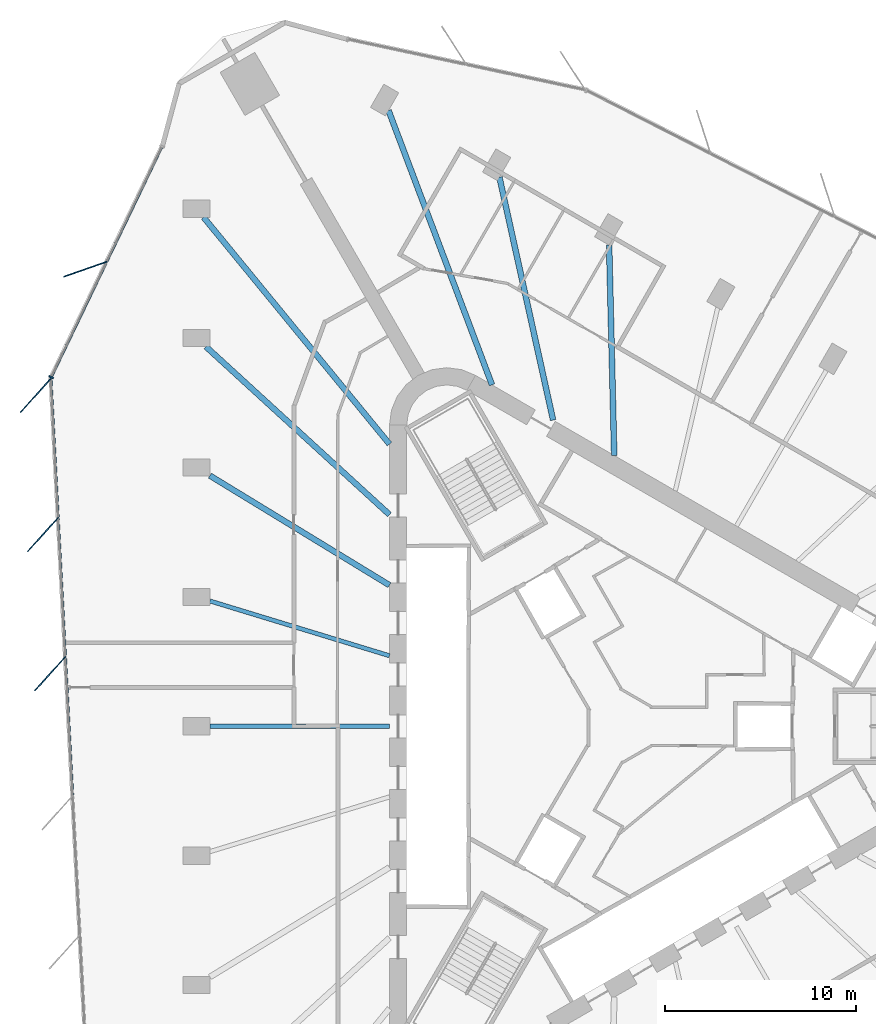
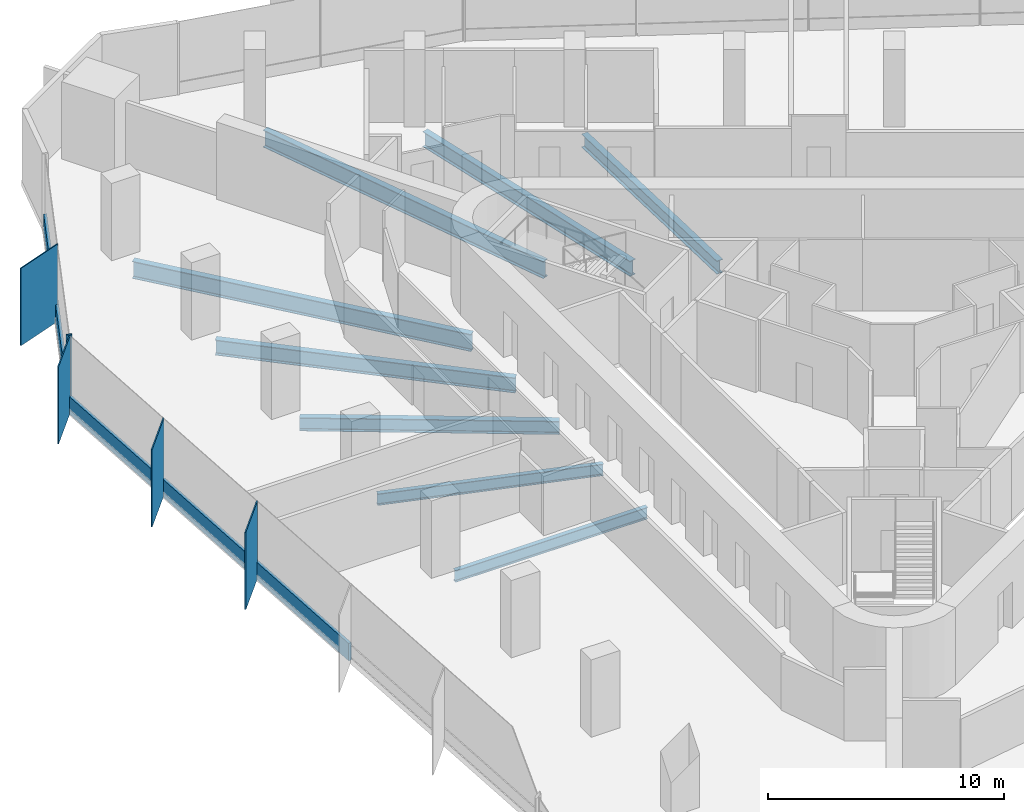
# One storey, part 4 of 14: 10 members, 8 beams, 2 elements without a shape of their own.
"""IFC4 building model written with IfcOpenShell, lengths in metres."""

from ifc_helpers import new_model, si_unit, direction, frame, origin, origin_2d, place, context, subcontext, project, spatial, rectangle, i_section, extrude, material, material_profile, profile_set, type_object, element, aggregate, save


model = new_model("IFC4")

# Units and contexts
model_context = context("Model", 3, precision=1e-05, world=origin(), true_north=direction((0.0, 1.0)))
body_context = subcontext(model_context, "Body", "Model", "MODEL_VIEW")
ifc_project = project(units=[si_unit("LENGTHUNIT", "METRE"), si_unit("AREAUNIT", "SQUARE_METRE"), si_unit("VOLUMEUNIT", "CUBIC_METRE"), si_unit("PLANEANGLEUNIT", "RADIAN"), si_unit("MASSUNIT", "GRAM", prefix="KILO")], contexts=[model_context])

# Site, building, storey
site_placement = place(None, origin())
site = spatial("IfcSite", under=ifc_project, at=site_placement, CompositionType="ELEMENT")
building_placement = place(site_placement, origin())
building = spatial("IfcBuilding", under=site, at=building_placement, Name="Tanit Gate Tower", CompositionType="ELEMENT")
storey_placement = place(building_placement, frame((0.0, 0.0, 213.199951171875)))
storey = spatial("IfcBuildingStorey", under=building, at=storey_placement, Name="L47", CompositionType="ELEMENT", Elevation=213.199951171875)

# Curtain wall, member
ifc_material_1 = material(Name="Aluminium bronze anodised and glass", Category="aluminium")
curtain_wall_type = type_object("IfcCurtainWallType", Name="Curtain wall typical mid", PredefinedType="NOTDEFINED", material=ifc_material_1)
curtain_wall_1_placement = place(storey_placement, origin())
curtain_wall_1 = element("IfcCurtainWall", 1, at=curtain_wall_1_placement, inside=storey, type_object=curtain_wall_type, Name="Curtain wall L47 W1", PredefinedType="NOTDEFINED")
ifc_material_2 = material(Name="Aluminium bronze anodised", Category="aluminium")
ifc_material_profile_1 = material_profile(ifc_material_2, rectangle(XDim=2.39990234375, YDim=0.055908203125, at=origin_2d()), Name="56x2400 bronze fin mullion")
ifc_profile_set_1 = profile_set([ifc_material_profile_1], Name="Aluminium bronze anodised")
member_type_1 = type_object("IfcMemberType", Name="FIN MULLION 56x2400 bronze", PredefinedType="MULLION", material=ifc_profile_set_1)
member_1_placement = place(storey_placement, frame((-28.01513671875, 23.9140625, -0.300048828125), z_axis=(0.0, 0.0, 1.0), x_axis=(0.943579951423, 0.331144795026, 0.0)))
member_1 = element("IfcMember", 2, at=member_1_placement, type_object=member_type_1, Name="Fin mullion L47 W1.2", PredefinedType="MULLION", context=body_context, shape_type="SweptSolid", body=[
    extrude(rectangle(XDim=2.39990234375, YDim=0.055908203125, at=origin_2d()), origin(), (0.0, 0.0, 1.0), 4.0),
])

# Curtain wall, members
curtain_wall_2_placement = place(storey_placement, origin())
curtain_wall_2 = element("IfcCurtainWall", 3, at=curtain_wall_2_placement, inside=storey, type_object=curtain_wall_type, Name="Curtain wall L47 W2", PredefinedType="NOTDEFINED")
member_2_placement = place(storey_placement, frame((-30.60888671875, 17.31298828125, -0.300048828125), z_axis=(0.0, 0.0, 1.0), x_axis=(0.669378375715, 0.742921658135, 0.0)))
member_2 = element("IfcMember", 4, at=member_2_placement, type_object=member_type_1, Name="Fin mullion L47 W2.1", PredefinedType="MULLION", context=body_context, shape_type="SweptSolid", body=[
    extrude(rectangle(XDim=2.39990234375, YDim=0.055908203125, at=origin_2d()), origin(), (0.0, 0.0, 1.0), 4.0),
])
member_3_placement = place(storey_placement, frame((-30.22998046875, 10.037109375, -0.300048828125), z_axis=(0.0, 0.0, 1.0), x_axis=(0.669378375715, 0.742921658135, 0.0)))
member_3 = element("IfcMember", 5, at=member_3_placement, type_object=member_type_1, Name="Fin mullion L47 W2.2", PredefinedType="MULLION", context=body_context, shape_type="SweptSolid", body=[
    extrude(rectangle(XDim=2.39990234375, YDim=0.055908203125, at=origin_2d()), origin(), (0.0, 0.0, 1.0), 4.0),
])
member_4_placement = place(storey_placement, frame((-29.85107421875, 2.760986328125, -0.300048828125), z_axis=(0.0, 0.0, 1.0), x_axis=(0.669378375715, 0.742921658135, 0.0)))
member_4 = element("IfcMember", 6, at=member_4_placement, type_object=member_type_1, Name="Fin mullion L47 W2.3", PredefinedType="MULLION", context=body_context, shape_type="SweptSolid", body=[
    extrude(rectangle(XDim=2.39990234375, YDim=0.055908203125, at=origin_2d()), origin(), (0.0, 0.0, 1.0), 4.0),
])

# Member
ifc_material_3 = material(Name="Aluminium bronze anodised", Category="aluminium")
ifc_material_profile_2 = material_profile(ifc_material_3, rectangle(XDim=0.260009765625, YDim=0.080078125, at=origin_2d()), Name="80x260 bronze mullion")
ifc_profile_set_2 = profile_set([ifc_material_profile_2], Name="Aluminium bronze anodised")
member_type_2 = type_object("IfcMemberType", Name="Mullion 80x260 typical mid", PredefinedType="MULLION", material=ifc_profile_set_2)
member_5_placement = place(storey_placement, frame((-29.8046875, 18.264892578125, -0.300048828125), z_axis=(0.0, 0.0, 1.0), x_axis=(0.90136651236, -0.433057052125, 0.0)))
member_5 = element("IfcMember", 7, at=member_5_placement, type_object=member_type_2, Name="Mullion L47 W1.3", PredefinedType="MULLION", context=body_context, shape_type="SweptSolid", body=[
    extrude(rectangle(XDim=0.260009765625, YDim=0.080078125, at=origin_2d()), origin(), (0.0, 0.0, 1.0), 4.0),
])

# Beams
ifc_material_4 = material(Name="Steel S355", Category="steel")
ifc_material_profile_3 = material_profile(ifc_material_4, i_section(OverallWidth=0.300048828125, OverallDepth=0.68994140625, WebThickness=0.014404296875, FlangeThickness=0.027099609375, FilletRadius=0.027099609375, at=origin_2d()), Name="HEA 700")
ifc_profile_set_3 = profile_set([ifc_material_profile_3], Name="Steel S355")
beam_type_1 = type_object("IfcBeamType", Name="RADIAL GIRDER HEA 700 S355", PredefinedType="BEAM", material=ifc_profile_set_3)
for number, where, z_axis, x_axis, name in (
    (8, (-0.609375, 25.17431640625, -0.64501953125), (0.024202383749, -0.999707079409, 0.0), (0.999707079409, 0.024202383749, 0.0), "RADIAL GIRDER"),
    (9, (-21.4970703125, 13.114990234375, -0.64501953125), (0.853674218832, -0.520807380997, 0.0), (0.520807380997, 0.853674218832, 0.0), "RADIAL GIRDER"),
):
    element("IfcBeam", number, at=place(storey_placement, frame(where, z_axis=z_axis, x_axis=x_axis)), inside=storey, type_object=beam_type_1, Name=name, PredefinedType="BEAM", context=body_context, shape_type="SweptSolid", body=[
        extrude(i_section(OverallWidth=0.300048828125, OverallDepth=0.68994140625, WebThickness=0.014404296875, FlangeThickness=0.027099609375, FilletRadius=0.027099609375, at=origin_2d()), origin(), (0.0, 0.0, 1.0), 11.00537109375),
    ])
ifc_material_5 = material(Name="Steel S355", Category="steel")
ifc_material_profile_4 = material_profile(ifc_material_5, i_section(OverallWidth=0.300048828125, OverallDepth=0.7900390625, WebThickness=0.014892578125, FlangeThickness=0.028076171875, FilletRadius=0.030029296875, at=origin_2d()), Name="HEA 800")
ifc_profile_set_4 = profile_set([ifc_material_profile_4], Name="Steel S355")
beam_type_2 = type_object("IfcBeamType", Name="RADIAL GIRDER HEA 800 S355", PredefinedType="BEAM", material=ifc_profile_set_4)
for number, where, z_axis, x_axis, name in (
    (10, (-6.349365234375, 28.728759765625, -0.695068359375), (0.21581230457, -0.976434866848, 0.0), (0.976434866848, 0.21581230457, 0.0), "RADIAL GIRDER"),
    (11, (-21.705322265625, 19.86279296875, -0.695068359375), (0.737724522126, -0.675101865983, 0.0), (0.675101865983, 0.737724522126, 0.0), "RADIAL GIRDER"),
):
    element("IfcBeam", number, at=place(storey_placement, frame(where, z_axis=z_axis, x_axis=x_axis)), inside=storey, type_object=beam_type_2, Name=name, PredefinedType="BEAM", context=body_context, shape_type="SweptSolid", body=[
        extrude(i_section(OverallWidth=0.300048828125, OverallDepth=0.7900390625, WebThickness=0.014892578125, FlangeThickness=0.028076171875, FilletRadius=0.030029296875, at=origin_2d()), origin(), (0.0, 0.0, 1.0), 13.017333984375),
    ])
ifc_material_6 = material(Name="Steel S355", Category="steel")
ifc_material_profile_5 = material_profile(ifc_material_6, i_section(OverallWidth=0.300048828125, OverallDepth=0.889892578125, WebThickness=0.01611328125, FlangeThickness=0.030029296875, FilletRadius=0.030029296875, at=origin_2d()), Name="HEA 900")
ifc_profile_set_5 = profile_set([ifc_material_profile_5], Name="Steel S355")
beam_type_3 = type_object("IfcBeamType", Name="RADIAL GIRDER HEA 900 S355", PredefinedType="BEAM", material=ifc_profile_set_5)
beam_1_placement = place(storey_placement, frame((-12.151611328125, 32.220703125, -0.744873046875), z_axis=(0.352876972664, -0.935669729212, 0.0), x_axis=(0.935669729212, 0.352876972664, 0.0)))
element("IfcBeam", 12, at=beam_1_placement, inside=storey, type_object=beam_type_3, Name="RADIAL GIRDER", PredefinedType="BEAM", context=body_context, shape_type="SweptSolid", body=[
    extrude(i_section(OverallWidth=0.300048828125, OverallDepth=0.889892578125, WebThickness=0.01611328125, FlangeThickness=0.030029296875, FilletRadius=0.030029296875, at=origin_2d()), origin(), (0.0, 0.0, 1.0), 15.343994140625),
])
beam_2_placement = place(storey_placement, frame((-21.828125, 26.6337890625, -0.744873046875), z_axis=(0.633876155271, -0.77343456076, 0.0), x_axis=(0.77343456076, 0.633876155271, 0.0)))
element("IfcBeam", 13, at=beam_2_placement, inside=storey, type_object=beam_type_3, Name="RADIAL GIRDER", PredefinedType="BEAM", context=body_context, shape_type="SweptSolid", body=[
    extrude(i_section(OverallWidth=0.300048828125, OverallDepth=0.889892578125, WebThickness=0.01611328125, FlangeThickness=0.030029296875, FilletRadius=0.030029296875, at=origin_2d()), origin(), (0.0, 0.0, 1.0), 15.34375),
])
ifc_material_7 = material(Name="Steel S355", Category="steel")
ifc_material_profile_6 = material_profile(ifc_material_7, i_section(OverallWidth=0.219970703125, OverallDepth=0.60009765625, WebThickness=0.011962890625, FlangeThickness=0.01904296875, FilletRadius=0.02392578125, at=origin_2d()), Name="IPE 600")
ifc_profile_set_6 = profile_set([ifc_material_profile_6], Name="Steel S355")
beam_type_4 = type_object("IfcBeamType", Name="RADIAL GIRDER IPE 600 S355", PredefinedType="BEAM", material=ifc_profile_set_6)
beam_3_placement = place(storey_placement, frame((-21.4970703125, 6.5576171875, -0.599853515625), z_axis=(0.956486148302, -0.291777737511, 0.0), x_axis=(0.291777737511, 0.956486148302, 0.0)))
element("IfcBeam", 14, at=beam_3_placement, inside=storey, type_object=beam_type_4, Name="RADIAL GIRDER", PredefinedType="BEAM", context=body_context, shape_type="SweptSolid", body=[
    extrude(i_section(OverallWidth=0.219970703125, OverallDepth=0.60009765625, WebThickness=0.011962890625, FlangeThickness=0.01904296875, FilletRadius=0.02392578125, at=origin_2d()), origin(), (0.0, 0.0, 1.0), 9.822509765625),
])
beam_4_placement = place(storey_placement, frame((-21.4970703125, 0.0, -0.599853515625), z_axis=(1.0, 0.0, 0.0), x_axis=(0.0, 1.0, 0.0)))
element("IfcBeam", 15, at=beam_4_placement, inside=storey, type_object=beam_type_4, Name="RADIAL GIRDER", PredefinedType="BEAM", context=body_context, shape_type="SweptSolid", body=[
    extrude(i_section(OverallWidth=0.219970703125, OverallDepth=0.60009765625, WebThickness=0.011962890625, FlangeThickness=0.01904296875, FilletRadius=0.02392578125, at=origin_2d()), origin(), (0.0, 0.0, 1.0), 9.39501953125),
])

# Member
ifc_material_8 = material(Name="Aluminium bronze anodised", Category="aluminium")
ifc_material_profile_7 = material_profile(ifc_material_8, rectangle(XDim=0.139892578125, YDim=0.89990234375, at=origin_2d()), Name="140x900 bronze transom")
ifc_profile_set_7 = profile_set([ifc_material_profile_7], Name="Aluminium bronze anodised")
member_type_3 = type_object("IfcMemberType", Name="Transom 140x900 typical mid", PredefinedType="USERDEFINED", material=ifc_profile_set_7)
member_6_placement = place(storey_placement, frame((-24.0185546875, 30.307861328125, 0.150146484375), z_axis=(-0.433041543584, -0.901373963197, 0.0), x_axis=(0.901373963197, -0.433041543584, 0.0)))
member_6 = element("IfcMember", 16, at=member_6_placement, type_object=member_type_3, Name="Transom L47 W1.1", ObjectType="TRANSOM", PredefinedType="USERDEFINED", context=body_context, shape_type="SweptSolid", body=[
    extrude(rectangle(XDim=0.139892578125, YDim=0.89990234375, at=origin_2d()), origin(), (0.0, 0.0, 1.0), 6.620361328125),
])

member_7_placement = place(storey_placement, frame((-26.920166015625, 24.268310546875, 0.150146484375), z_axis=(-0.433071504157, -0.901359568811, 0.0), x_axis=(0.901359568811, -0.433071504157, 0.0)))
member_7 = element("IfcMember", 17, at=member_7_placement, type_object=member_type_3, Name="Transom L47 W1.2", ObjectType="TRANSOM", PredefinedType="USERDEFINED", context=body_context, shape_type="SweptSolid", body=[
    extrude(rectangle(XDim=0.139892578125, YDim=0.89990234375, at=origin_2d()), origin(), (0.0, 0.0, 1.0), 6.62060546875),
])

aggregate(curtain_wall_1, [member_1, member_5, member_6, member_7])

member_8_placement = place(storey_placement, frame((-29.81787109375, 18.14892578125, 0.150146484375), z_axis=(0.052005794951, -0.998646783048, 0.0), x_axis=(0.998646783048, 0.052005794951, 0.0)))
member_8 = element("IfcMember", 18, at=member_8_placement, type_object=member_type_3, Name="Transom L47 W2.1", ObjectType="TRANSOM", PredefinedType="USERDEFINED", context=body_context, shape_type="SweptSolid", body=[
    extrude(rectangle(XDim=0.139892578125, YDim=0.89990234375, at=origin_2d()), origin(), (0.0, 0.0, 1.0), 7.2060546875),
])

member_9_placement = place(storey_placement, frame((-29.43896484375, 10.872802734375, 0.150146484375), z_axis=(0.052007554582, -0.998646691411, 0.0), x_axis=(0.998646691411, 0.052007554582, 0.0)))
member_9 = element("IfcMember", 19, at=member_9_placement, type_object=member_type_3, Name="Transom L47 W2.2", ObjectType="TRANSOM", PredefinedType="USERDEFINED", context=body_context, shape_type="SweptSolid", body=[
    extrude(rectangle(XDim=0.139892578125, YDim=0.89990234375, at=origin_2d()), origin(), (0.0, 0.0, 1.0), 7.205810546875),
])

member_10_placement = place(storey_placement, frame((-29.06005859375, 3.596923828125, 0.150146484375), z_axis=(0.052005794951, -0.998646783048, 0.0), x_axis=(0.998646783048, 0.052005794951, 0.0)))
member_10 = element("IfcMember", 20, at=member_10_placement, type_object=member_type_3, Name="Transom L47 W2.3", ObjectType="TRANSOM", PredefinedType="USERDEFINED", context=body_context, shape_type="SweptSolid", body=[
    extrude(rectangle(XDim=0.139892578125, YDim=0.89990234375, at=origin_2d()), origin(), (0.0, 0.0, 1.0), 7.2060546875),
])

aggregate(curtain_wall_2, [member_2, member_3, member_4, member_8, member_9, member_10])

save(model, "model.ifc")
